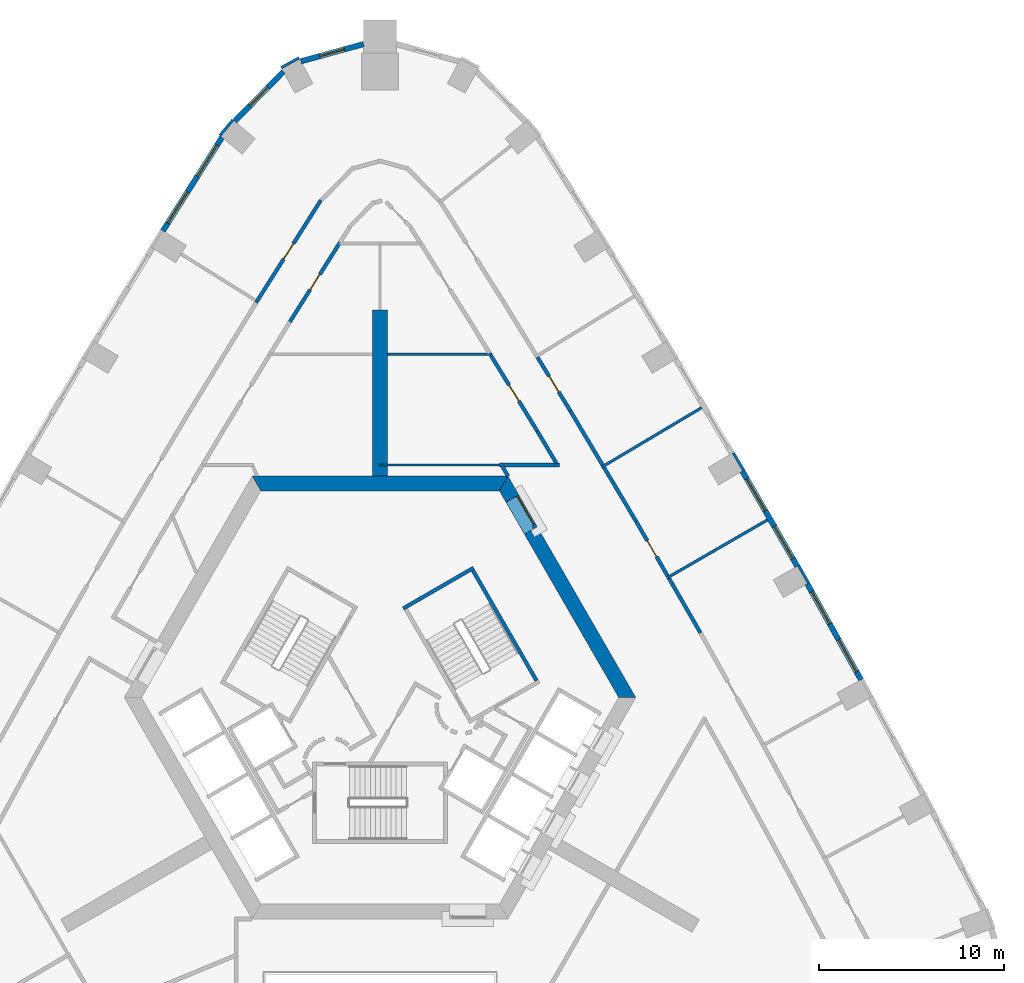
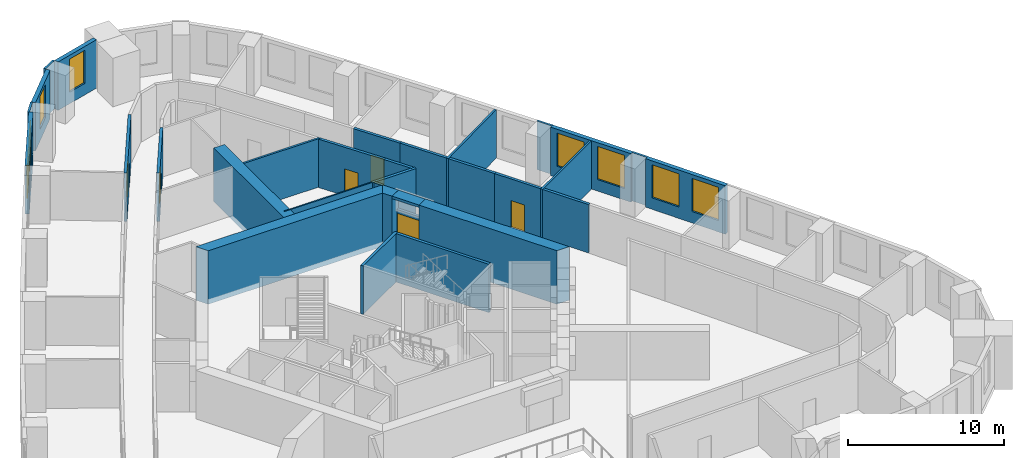
# One storey, part 9 of 12: 32 walls, 8 windows, 6 doors, 14 openings.
"""IFC4 building model written with IfcOpenShell, lengths in metres."""

import ifcopenshell
import ifcopenshell.guid

model = None  # the IFC model being written
_history = None  # IfcOwnerHistory: only IFC2X3 demands one
_inside = {}  # id of a spatial element -> (the spatial element, [elements in it])
_under = {}  # id of a project, library or spatial element -> (it, [spatial elements below it])
_declared = {}  # id of a project -> (the project, [libraries it declares])
_typed = {}  # id of a type object -> (the type object, [elements of that type])
_made_of = {}  # id of a material, layer set ... -> (it, [elements and type objects made of it])


def new_model(schema):
    """Start an empty IFC model of exactly this schema.

    Asked for "IFC4X3", IfcOpenShell would pick the latest addendum, in which some entities
    have other attributes; the version numbers below select the first issue.
    IFC2X3 requires an IfcOwnerHistory on every rooted entity: one is made here for all.
    """
    global model, _history
    if schema == "IFC4X3":
        model = ifcopenshell.file(schema_version=(4, 3, 0, 0))
    else:
        model = ifcopenshell.file(schema=schema)
    _inside.clear()
    _under.clear()
    _declared.clear()
    _typed.clear()
    _made_of.clear()
    _history = None
    if model.schema == "IFC2X3":
        org = make("IfcOrganization", Name="unknown")
        user = make(
            "IfcPersonAndOrganization",
            ThePerson=make("IfcPerson", FamilyName="unknown"),
            TheOrganization=org,
        )
        app = make(
            "IfcApplication",
            ApplicationDeveloper=org,
            Version="unknown",
            ApplicationFullName="unknown",
            ApplicationIdentifier="unknown",
        )
        _history = make(
            "IfcOwnerHistory",
            OwningUser=user,
            OwningApplication=app,
            ChangeAction="ADDED",
            CreationDate=0,
        )
    return model


def make(cls, **values):
    """One entity of the class cls with the attributes given. An attribute that is None is left unset."""
    return model.create_entity(
        cls, **{name: value for name, value in values.items() if value is not None}
    )


def rooted(cls, **values):
    """An entity with a GlobalId (a new one), such as an element, a storey or a relation."""
    return make(cls, GlobalId=ifcopenshell.guid.new(), OwnerHistory=_history, **values)


def si_unit(unit_type, name, prefix=None):
    """IfcSIUnit, for example si_unit("LENGTHUNIT", "METRE", prefix="MILLI")."""
    return make("IfcSIUnit", UnitType=unit_type, Prefix=prefix, Name=name)


def assignment(units):
    """IfcUnitAssignment: the units of a project."""
    return None if units is None else make("IfcUnitAssignment", Units=units)


def point(xyz):
    """IfcCartesianPoint."""
    return None if xyz is None else make("IfcCartesianPoint", Coordinates=xyz)


def direction(xyz):
    """IfcDirection."""
    return None if xyz is None else make("IfcDirection", DirectionRatios=xyz)


def frame(location, z_axis=None, x_axis=None):
    """IfcAxis2Placement3D, a coordinate frame: its origin and axes. An axis left out is left unset."""
    return make(
        "IfcAxis2Placement3D",
        Location=point(location),
        Axis=direction(z_axis),
        RefDirection=direction(x_axis),
    )


def frame_2d(location, x_axis=None):
    """IfcAxis2Placement2D, a coordinate frame in the plane: its origin and x axis."""
    return make(
        "IfcAxis2Placement2D", Location=point(location), RefDirection=direction(x_axis)
    )


def origin():
    """The frame at (0, 0, 0) with its axes left unset."""
    return frame((0.0, 0.0, 0.0))


def place(relative_to, where):
    """IfcLocalPlacement: puts the frame where relative to a parent placement (None: the world)."""
    return make(
        "IfcLocalPlacement", PlacementRelTo=relative_to, RelativePlacement=where
    )


def context(
    kind, dimensions, precision=None, world=None, true_north=None, identifier=None
):
    """IfcGeometricRepresentationContext, for example the 3D "Model" context."""
    return make(
        "IfcGeometricRepresentationContext",
        ContextIdentifier=identifier,
        ContextType=kind,
        CoordinateSpaceDimension=dimensions,
        Precision=precision,
        WorldCoordinateSystem=world,
        TrueNorth=true_north,
    )


def subcontext(parent, identifier, kind, view, scale=None):
    """IfcGeometricRepresentationSubContext, for example "Body" below "Model"."""
    return make(
        "IfcGeometricRepresentationSubContext",
        ContextIdentifier=identifier,
        ContextType=kind,
        ParentContext=parent,
        TargetScale=scale,
        TargetView=view,
    )


def project(units=None, contexts=None):
    """IfcProject with its units and contexts."""
    return rooted(
        "IfcProject",
        Name="project",
        RepresentationContexts=contexts,
        UnitsInContext=assignment(units),
    )


def spatial(cls, under=None, at=None, **own):
    """A site, building, storey or space (cls), placed at a placement, below another one or the project."""
    s = rooted(cls, ObjectPlacement=at, **own)
    if under is not None:
        _under.setdefault(under.id(), (under, []))[1].append(s)
    return s


def polyline(points):
    """IfcPolyline through the points."""
    return make("IfcPolyline", Points=[point(p) for p in points])


def profile(cls, at=None, kind="AREA", **sizes):
    """A parametric profile (cls). Its sizes go by their IFC names, for example OverallWidth=200.0."""
    return make(cls, ProfileType=kind, Position=at, **sizes)


def rectangle(**sizes):
    """IfcRectangleProfileDef."""
    return profile("IfcRectangleProfileDef", **sizes)


def outline(outer, holes=None, kind="AREA"):
    """IfcArbitraryClosedProfileDef: a profile drawn as a closed curve; with holes, ...WithVoids."""
    if holes is None:
        return make("IfcArbitraryClosedProfileDef", ProfileType=kind, OuterCurve=outer)
    return make(
        "IfcArbitraryProfileDefWithVoids",
        ProfileType=kind,
        OuterCurve=outer,
        InnerCurves=holes,
    )


def extrude(swept, where, along, depth):
    """IfcExtrudedAreaSolid: the profile swept, set in the frame where, extruded along a direction by depth."""
    return make(
        "IfcExtrudedAreaSolid",
        SweptArea=swept,
        Position=where,
        ExtrudedDirection=direction(along),
        Depth=depth,
    )


def shape(context_of_items, identifier, shape_type, items):
    """IfcShapeRepresentation: the items that make up one representation, for example the "Body"."""
    return make(
        "IfcShapeRepresentation",
        ContextOfItems=context_of_items,
        RepresentationIdentifier=identifier,
        RepresentationType=shape_type,
        Items=items,
    )


def material(Name=None, Category=None):
    """IfcMaterial."""
    return make("IfcMaterial", Name=Name, Category=Category)


def layer(
    of_material, thickness, ventilated=None, Name=None, Category=None, Priority=None
):
    """IfcMaterialLayer: one layer of a wall or slab, of a material (None: an air gap)."""
    return make(
        "IfcMaterialLayer",
        Material=of_material,
        LayerThickness=thickness,
        IsVentilated=ventilated,
        Name=Name,
        Category=Category,
        Priority=Priority,
    )


def layer_set(layers, Name=None):
    """IfcMaterialLayerSet."""
    return make("IfcMaterialLayerSet", MaterialLayers=layers, LayerSetName=Name)


def made_of(thing, what):
    """Note that an element or type object is made of a material, layer set ...; save() writes the relation."""
    if what is not None:
        _made_of.setdefault(what.id(), (what, []))[1].append(thing)
    return thing


def type_object(cls, material=None, **own):
    """A type object (cls), such as IfcWallType, which elements share."""
    return made_of(rooted(cls, **own), material)


def element(
    cls,
    number,
    at=None,
    inside=None,
    cuts=None,
    type_object=None,
    material=None,
    context=None,
    identifier="Body",
    shape_type=None,
    held_by="IfcProductDefinitionShape",
    body=None,
    shapes=None,
    **own,
):
    """One element of the class cls, such as IfcWall. Its Tag is "e" and its number.

    at: its placement. inside: the storey or other place that contains it. cuts: it is an
    opening in that element (IfcRelVoidsElement). A single representation is given by context,
    identifier, shape_type and body (its items); several are given by shapes. held_by: the class
    of the entity that holds the representations. save() writes the other relations.
    """
    e = rooted(cls, Tag="e%d" % number, ObjectPlacement=at, **own)
    if body is not None:
        shapes = [shape(context, identifier, shape_type, body)]
    if shapes is not None:
        e.Representation = make(held_by, Representations=shapes)
    if inside is not None:
        _inside.setdefault(inside.id(), (inside, []))[1].append(e)
    if cuts is not None:
        rooted(
            "IfcRelVoidsElement", RelatingBuildingElement=cuts, RelatedOpeningElement=e
        )
    if type_object is not None:
        _typed.setdefault(type_object.id(), (type_object, []))[1].append(e)
    return made_of(e, material)


def fill(opening, filler):
    """IfcRelFillsElement: the door or window that sits in an opening."""
    return rooted(
        "IfcRelFillsElement",
        RelatingOpeningElement=opening,
        RelatedBuildingElement=filler,
    )


def aggregate(whole, parts):
    """IfcRelAggregates: a whole, such as a stair, and the parts it consists of."""
    return rooted("IfcRelAggregates", RelatingObject=whole, RelatedObjects=parts)


def save(model, path):
    """Write the relations noted so far, then the file.

    IfcRelAggregates (storeys below a building ...), IfcRelContainedInSpatialStructure (elements
    in a storey), IfcRelDefinesByType, IfcRelAssociatesMaterial and IfcRelDeclares: one each for
    every whole, place, type object, material and project.
    """
    for whole, parts in _under.values():
        aggregate(whole, parts)
    for where, things in _inside.values():
        rooted(
            "IfcRelContainedInSpatialStructure",
            RelatedElements=things,
            RelatingStructure=where,
        )
    for kind, things in _typed.values():
        rooted("IfcRelDefinesByType", RelatedObjects=things, RelatingType=kind)
    for what, things in _made_of.values():
        rooted("IfcRelAssociatesMaterial", RelatedObjects=things, RelatingMaterial=what)
    for by, libraries in _declared.values():
        rooted("IfcRelDeclares", RelatingContext=by, RelatedDefinitions=libraries)
    model.write(path)


model = new_model("IFC4")

# Units and contexts
model_context = context("Model", 3, precision=1e-05, world=origin(), true_north=direction((0.0, 1.0)))
body_context = subcontext(model_context, "Body", "Model", "MODEL_VIEW")
ifc_project = project(units=[si_unit("LENGTHUNIT", "METRE"), si_unit("AREAUNIT", "SQUARE_METRE"), si_unit("VOLUMEUNIT", "CUBIC_METRE"), si_unit("PLANEANGLEUNIT", "RADIAN"), si_unit("MASSUNIT", "GRAM", prefix="KILO")], contexts=[model_context])

# Site, building, storey
site_placement = place(None, origin())
site = spatial("IfcSite", under=ifc_project, at=site_placement, CompositionType="ELEMENT")
building_placement = place(site_placement, origin())
building = spatial("IfcBuilding", under=site, at=building_placement, Name="Entoto Arch Interchange Tower", CompositionType="ELEMENT")
storey_placement = place(building_placement, frame((0.0, 0.0, 155.0)))
storey = spatial("IfcBuildingStorey", under=building, at=storey_placement, Name="L34", CompositionType="ELEMENT", Elevation=155.0)

# Wall
ifc_material_1 = material(Name="Concrete C50/60", Category="concrete")
ifc_layer_1 = layer(ifc_material_1, 0.800048828125)
ifc_layer_set_1 = layer_set([ifc_layer_1], Name="Concrete C50/60")
wall_type_1 = type_object("IfcWallType", Name="Buttress wall 800 C50/60", PredefinedType="SHEAR", material=ifc_layer_set_1)
wall_1_placement = place(storey_placement, frame((0.0, 14.5, -0.39990234375), z_axis=(0.0, 0.0, 1.0), x_axis=(0.0, 1.0, 0.0)))
element("IfcWall", 1, at=wall_1_placement, inside=storey, type_object=wall_type_1, Name="Buttress wall N L34", PredefinedType="SHEAR", context=body_context, shape_type="SweptSolid", body=[
    extrude(rectangle(XDim=9.0, YDim=0.800048828125, at=frame_2d((4.5, 0.0))), origin(), (0.0, 0.0, 1.0), 4.199951171875),
])

# Wall, opening, door
ifc_material_2 = material(Name="Reinforced concrete C40/50", Category="concrete")
ifc_layer_2 = layer(ifc_material_2, 0.199951171875)
ifc_layer_set_2 = layer_set([ifc_layer_2], Name="Reinforced concrete C40/50")
wall_type_2 = type_object("IfcWallType", Name="CORE GAP INFILL WALL", PredefinedType="PARTITIONING", material=ifc_layer_set_2)
wall_2_placement = place(storey_placement, frame((8.429931640625, 11.697998046875, 0.0), z_axis=(0.0, 0.0, 1.0), x_axis=(-0.50002537861, 0.866010750942, 0.0)))
wall_2 = element("IfcWall", 2, at=wall_2_placement, inside=storey, type_object=wall_type_2, Name="wall:L34:gap2", PredefinedType="PARTITIONING", context=body_context, shape_type="SweptSolid", body=[
    extrude(rectangle(XDim=2.0, YDim=0.199951171875, at=frame_2d((1.0, 0.0))), origin(), (0.0, 0.0, 1.0), 2.39990234375),
])
opening_1_placement = place(wall_2_placement, frame((0.18994140625, 0.0, 0.0)))
opening_1 = element("IfcOpeningElement", 3, at=opening_1_placement, cuts=wall_2, Name="Opening L34-D92", PredefinedType="OPENING", context=body_context, shape_type="SweptSolid", body=[
    extrude(rectangle(XDim=1.800048828125, YDim=2.10009765625, at=frame_2d((0.89990234375, 1.050048828125))), frame((0.0, 0.10986328125, 0.0), z_axis=(0.0, -1.0, 0.0), x_axis=(1.0, 0.0, 0.0)), (0.0, 0.0, 1.0), 0.219970703125),
])
ifc_material_3 = material(Name="Fire-rated Steel S235 door and frame", Category="steel")
door_type_1 = type_object("IfcDoorType", Name="DOOR FD-18 1800x2100", OperationType="DOUBLE_DOOR_SINGLE_SWING", PredefinedType="DOOR", material=ifc_material_3)
door_1_placement = place(opening_1_placement, origin())
door_1 = element("IfcDoor", 4, at=door_1_placement, inside=storey, type_object=door_type_1, Name="door:L34:gap2", OperationType="DOUBLE_DOOR_SINGLE_SWING", OverallHeight=2.10009765625, OverallWidth=1.800048828125, PredefinedType="DOOR", context=body_context, shape_type="SweptSolid", body=[
    extrude(rectangle(XDim=1.800048828125, YDim=2.10009765625, at=frame_2d((0.89990234375, 1.050048828125))), frame((0.0, 0.02490234375, 0.0), z_axis=(0.0, -1.0, 0.0), x_axis=(1.0, 0.0, 0.0)), (0.0, 0.0, 1.0), 0.050048828125),
])
fill(opening_1, door_1)

# Walls
ifc_layer_3 = layer(ifc_material_1, 0.800048828125)
ifc_layer_set_3 = layer_set([ifc_layer_3], Name="Concrete C50/60")
wall_type_3 = type_object("IfcWallType", Name="Core wall 800 C50/60", PredefinedType="SHEAR", material=ifc_layer_set_3)
wall_3_placement = place(storey_placement, frame((0.0, 0.0, -0.39990234375)))
element("IfcWall", 5, at=wall_3_placement, inside=storey, type_object=wall_type_3, Name="Core wall NE L34", PredefinedType="SHEAR", context=body_context, shape_type="SweptSolid", body=[
    extrude(outline(polyline([(8.51708984375, 11.748046875), (7.823974609375, 11.347900390625), (12.93310546875, 2.5), (13.85595703125, 2.5), (8.51708984375, 11.748046875)])), origin(), (0.0, 0.0, 1.0), 4.199951171875),
])
wall_4_placement = place(storey_placement, frame((0.0, 0.0, -0.39990234375)))
element("IfcWall", 6, at=wall_4_placement, inside=storey, type_object=wall_type_3, Name="Core wall NE L34", PredefinedType="SHEAR", context=body_context, shape_type="SweptSolid", body=[
    extrude(outline(polyline([(6.823974609375, 13.080078125), (7.51708984375, 13.47998046875), (6.927978515625, 14.5), (6.466064453125, 13.699951171875), (6.823974609375, 13.080078125)])), origin(), (0.0, 0.0, 1.0), 4.199951171875),
])
wall_5_placement = place(storey_placement, frame((0.0, 0.0, 3.60009765625)))
element("IfcWall", 7, at=wall_5_placement, inside=storey, type_object=wall_type_3, Name="Core wall lintel NE L34", PredefinedType="SHEAR", context=body_context, shape_type="SweptSolid", body=[
    extrude(outline(polyline([(7.51708984375, 13.47998046875), (6.823974609375, 13.080078125), (7.823974609375, 11.347900390625), (8.51708984375, 11.748046875), (7.51708984375, 13.47998046875)])), origin(), (0.0, 0.0, 1.0), 0.199951171875),
])
wall_6_placement = place(storey_placement, frame((0.0, 0.0, -0.39990234375)))
element("IfcWall", 8, at=wall_6_placement, inside=storey, type_object=wall_type_3, Name="Core wall N L34", PredefinedType="SHEAR", context=body_context, shape_type="SweptSolid", body=[
    extrude(outline(polyline([(6.927978515625, 14.5), (-6.927978515625, 14.5), (-6.466064453125, 13.699951171875), (6.466064453125, 13.699951171875), (6.927978515625, 14.5)])), origin(), (0.0, 0.0, 1.0), 4.199951171875),
])
ifc_material_4 = material(Name="Gypsum board partition on steel studs", Category="steel")
ifc_layer_4 = layer(ifc_material_4, 0.10009765625)
ifc_layer_set_4 = layer_set([ifc_layer_4], Name="Gypsum board partition on steel studs")
wall_type_4 = type_object("IfcWallType", Name="PARTITION 100", PredefinedType="PARTITIONING", material=ifc_layer_set_4)
wall_7_placement = place(storey_placement, frame((6.48388671875, 15.10009765625, 0.0), z_axis=(0.0, 0.0, 1.0), x_axis=(-1.0, 0.0, 0.0)))
element("IfcWall", 9, at=wall_7_placement, inside=storey, type_object=wall_type_4, Name="wall:L34:p112", PredefinedType="PARTITIONING", context=body_context, shape_type="SweptSolid", body=[
    extrude(rectangle(XDim=6.533935546875, YDim=0.10009765625, at=frame_2d((3.26708984375, 0.0))), origin(), (0.0, 0.0, 1.0), 3.800048828125),
])
ifc_layer_5 = layer(ifc_material_4, 0.14990234375)
ifc_layer_set_5 = layer_set([ifc_layer_5], Name="Gypsum board partition on steel studs")
wall_type_5 = type_object("IfcWallType", Name="PARTITION 150", PredefinedType="PARTITIONING", material=ifc_layer_set_5)
wall_8_placement = place(storey_placement, frame((0.39990234375, 21.10009765625, 0.0), z_axis=(0.0, 0.0, 1.0), x_axis=(1.0, 0.0, 0.0)))
element("IfcWall", 10, at=wall_8_placement, inside=storey, type_object=wall_type_5, Name="wall:L34:p113", PredefinedType="PARTITIONING", context=body_context, shape_type="SweptSolid", body=[
    extrude(rectangle(XDim=5.666015625, YDim=0.14990234375, at=frame_2d((2.8330078125, 0.0))), origin(), (0.0, 0.0, 1.0), 3.800048828125),
])
wall_9_placement = place(storey_placement, frame((15.534912109375, 8.968994140625, 0.0), z_axis=(0.0, 0.0, 1.0), x_axis=(0.865951968193, 0.500127172609, 0.0)))
element("IfcWall", 11, at=wall_9_placement, inside=storey, type_object=wall_type_5, Name="wall:L34:p128", PredefinedType="PARTITIONING", context=body_context, shape_type="SweptSolid", body=[
    extrude(rectangle(XDim=6.300537109375, YDim=0.14990234375, at=frame_2d((3.150390625, 0.0))), origin(), (0.0, 0.0, 1.0), 3.800048828125),
])
wall_10_placement = place(storey_placement, frame((12.010009765625, 14.98095703125, 0.0), z_axis=(0.0, 0.0, 1.0), x_axis=(0.859343975102, 0.51139801765, 0.0)))
element("IfcWall", 12, at=wall_10_placement, inside=storey, type_object=wall_type_5, Name="wall:L34:p129", PredefinedType="PARTITIONING", context=body_context, shape_type="SweptSolid", body=[
    extrude(rectangle(XDim=6.30029296875, YDim=0.14990234375, at=frame_2d((3.150146484375, 0.0))), origin(), (0.0, 0.0, 1.0), 3.800048828125),
])
ifc_layer_6 = layer(ifc_material_4, 0.199951171875)
ifc_layer_set_6 = layer_set([ifc_layer_6], Name="Gypsum board partition on steel studs")
wall_type_6 = type_object("IfcWallType", Name="PARTITION 200", PredefinedType="PARTITIONING", material=ifc_layer_set_6)
wall_11_placement = place(storey_placement, frame((6.48388671875, 15.10009765625, 0.0), z_axis=(0.0, 0.0, 1.0), x_axis=(1.0, 0.0, 0.0)))
element("IfcWall", 13, at=wall_11_placement, inside=storey, type_object=wall_type_6, Name="wall:L34:p005", PredefinedType="PARTITIONING", context=body_context, shape_type="SweptSolid", body=[
    extrude(rectangle(XDim=3.22802734375, YDim=0.199951171875, at=frame_2d((1.614013671875, 0.0))), origin(), (0.0, 0.0, 1.0), 3.800048828125),
])
wall_12_placement = place(storey_placement, frame((9.56103515625, 15.18603515625, 0.0), z_axis=(0.0, 0.0, 1.0), x_axis=(-0.511399832047, 0.859342895346, 0.0)))
element("IfcWall", 14, at=wall_12_placement, inside=storey, type_object=wall_type_6, Name="wall:L34:p006", PredefinedType="PARTITIONING", context=body_context, shape_type="SweptSolid", body=[
    extrude(rectangle(XDim=2.043212890625, YDim=0.199951171875, at=frame_2d((1.021484375, 0.0))), origin(), (0.0, 0.0, 1.0), 3.800048828125),
])

# Wall, opening, door
wall_13_placement = place(storey_placement, frame((8.51611328125, 16.94189453125, 0.0), z_axis=(0.0, 0.0, 1.0), x_axis=(-0.522865983217, 0.852414901086, 0.0)))
wall_13 = element("IfcWall", 15, at=wall_13_placement, inside=storey, type_object=wall_type_6, Name="wall:L34:p007", PredefinedType="PARTITIONING", context=body_context, shape_type="SweptSolid", body=[
    extrude(rectangle(XDim=4.802734375, YDim=0.199951171875, at=frame_2d((2.4013671875, 0.0))), origin(), (0.0, 0.0, 1.0), 3.800048828125),
])
opening_2_placement = place(wall_13_placement, frame((1.90087890625, 0.0, 0.0)))
opening_2 = element("IfcOpeningElement", 16, at=opening_2_placement, cuts=wall_13, Name="Opening L34-D19", PredefinedType="OPENING", context=body_context, shape_type="SweptSolid", body=[
    extrude(rectangle(XDim=1.0, YDim=2.10009765625, at=frame_2d((0.5, 1.050048828125))), frame((0.0, 0.10986328125, 0.0), z_axis=(0.0, -1.0, 0.0), x_axis=(1.0, 0.0, 0.0)), (0.0, 0.0, 1.0), 0.219970703125),
])
ifc_material_5 = material(Name="Timber door leaf in Steel S235 frame", Category="steel")
door_type_2 = type_object("IfcDoorType", Name="DOOR DS-10 1000x2100", OperationType="SINGLE_SWING_LEFT", PredefinedType="DOOR", material=ifc_material_5)
door_2_placement = place(opening_2_placement, origin())
door_2 = element("IfcDoor", 17, at=door_2_placement, inside=storey, type_object=door_type_2, Name="door:L34:19", OperationType="SINGLE_SWING_LEFT", OverallHeight=2.10009765625, OverallWidth=1.0, PredefinedType="DOOR", context=body_context, shape_type="SweptSolid", body=[
    extrude(rectangle(XDim=1.0, YDim=2.10009765625, at=frame_2d((0.5, 1.050048828125))), frame((0.0, 0.02490234375, 0.0), z_axis=(0.0, -1.0, 0.0), x_axis=(1.0, 0.0, 0.0)), (0.0, 0.0, 1.0), 0.050048828125),
])
fill(opening_2, door_2)

# Wall
wall_14_placement = place(storey_placement, frame((6.93701171875, 14.488037109375, 0.0), z_axis=(0.0, 0.0, 1.0), x_axis=(-0.499908430952, 0.866078264744, 0.0)))
element("IfcWall", 18, at=wall_14_placement, inside=storey, type_object=wall_type_6, Name="wall:L34:p008", PredefinedType="PARTITIONING", context=body_context, shape_type="SweptSolid", body=[
    extrude(rectangle(XDim=0.60595703125, YDim=0.199951171875, at=frame_2d((0.302978515625, 0.0))), origin(), (0.0, 0.0, 1.0), 3.800048828125),
])

# Wall, opening, door
wall_15_placement = place(storey_placement, frame((-2.1669921875, 27.1630859375, 0.0), z_axis=(0.0, 0.0, 1.0), x_axis=(-0.534315942524, -0.845284847589, 0.0)))
wall_15 = element("IfcWall", 19, at=wall_15_placement, inside=storey, type_object=wall_type_6, Name="wall:L34:p013", PredefinedType="PARTITIONING", context=body_context, shape_type="SweptSolid", body=[
    extrude(rectangle(XDim=5.090576171875, YDim=0.199951171875, at=frame_2d((2.54541015625, 0.0))), origin(), (0.0, 0.0, 1.0), 3.800048828125),
])
opening_3_placement = place(wall_15_placement, frame((2.044921875, 0.0, 0.0)))
opening_3 = element("IfcOpeningElement", 20, at=opening_3_placement, cuts=wall_15, Name="Opening L34-D22", PredefinedType="OPENING", context=body_context, shape_type="SweptSolid", body=[
    extrude(rectangle(XDim=1.0, YDim=2.10009765625, at=frame_2d((0.5, 1.050048828125))), frame((0.0, 0.10986328125, 0.0), z_axis=(0.0, -1.0, 0.0), x_axis=(1.0, 0.0, 0.0)), (0.0, 0.0, 1.0), 0.219970703125),
])
door_3_placement = place(opening_3_placement, origin())
door_3 = element("IfcDoor", 21, at=door_3_placement, inside=storey, type_object=door_type_2, Name="door:L34:22", OperationType="SINGLE_SWING_LEFT", OverallHeight=2.10009765625, OverallWidth=1.0, PredefinedType="DOOR", context=body_context, shape_type="SweptSolid", body=[
    extrude(rectangle(XDim=1.0, YDim=2.10009765625, at=frame_2d((0.5, 1.050048828125))), frame((0.0, 0.02490234375, 0.0), z_axis=(0.0, -1.0, 0.0), x_axis=(1.0, 0.0, 0.0)), (0.0, 0.0, 1.0), 0.050048828125),
])
fill(opening_3, door_3)

# Walls
wall_16_placement = place(storey_placement, frame((15.658935546875, 8.9541015625, 0.0), z_axis=(0.0, 0.0, 1.0), x_axis=(0.50001992892, -0.866013897511, 0.0)))
element("IfcWall", 22, at=wall_16_placement, inside=storey, type_object=wall_type_6, Name="wall:L34:p048", PredefinedType="PARTITIONING", context=body_context, shape_type="SweptSolid", body=[
    extrude(rectangle(XDim=3.409912109375, YDim=0.199951171875, at=frame_2d((1.705078125, 0.0))), origin(), (0.0, 0.0, 1.0), 3.800048828125),
])
wall_17_placement = place(storey_placement, frame((12.134033203125, 14.968017578125, 0.0), z_axis=(0.0, 0.0, 1.0), x_axis=(0.511545516492, -0.859256180983, 0.0)))
element("IfcWall", 23, at=wall_17_placement, inside=storey, type_object=wall_type_6, Name="wall:L34:p050", PredefinedType="PARTITIONING", context=body_context, shape_type="SweptSolid", body=[
    extrude(rectangle(XDim=3.410888671875, YDim=0.199951171875, at=frame_2d((1.70556640625, 0.0))), origin(), (0.0, 0.0, 1.0), 3.800048828125),
])

# Wall, opening, door
wall_18_placement = place(storey_placement, frame((13.87890625, 12.037109375, 0.0), z_axis=(0.0, 0.0, 1.0), x_axis=(0.50001992892, -0.866013897511, 0.0)))
wall_18 = element("IfcWall", 24, at=wall_18_placement, inside=storey, type_object=wall_type_6, Name="wall:L34:p051", PredefinedType="PARTITIONING", context=body_context, shape_type="SweptSolid", body=[
    extrude(rectangle(XDim=3.409912109375, YDim=0.199951171875, at=frame_2d((1.705078125, 0.0))), origin(), (0.0, 0.0, 1.0), 3.800048828125),
])
opening_4_placement = place(wall_18_placement, frame((1.205078125, 0.0, 0.0)))
opening_4 = element("IfcOpeningElement", 25, at=opening_4_placement, cuts=wall_18, Name="Opening L34-D07", PredefinedType="OPENING", context=body_context, shape_type="SweptSolid", body=[
    extrude(rectangle(XDim=1.0, YDim=2.10009765625, at=frame_2d((0.5, 1.050048828125))), frame((0.0, 0.10986328125, 0.0), z_axis=(0.0, -1.0, 0.0), x_axis=(1.0, 0.0, 0.0)), (0.0, 0.0, 1.0), 0.219970703125),
])
door_4_placement = place(opening_4_placement, origin())
door_4 = element("IfcDoor", 26, at=door_4_placement, inside=storey, type_object=door_type_2, Name="door:L34:07", OperationType="SINGLE_SWING_LEFT", OverallHeight=2.10009765625, OverallWidth=1.0, PredefinedType="DOOR", context=body_context, shape_type="SweptSolid", body=[
    extrude(rectangle(XDim=1.0, YDim=2.10009765625, at=frame_2d((0.5, 1.050048828125))), frame((0.0, 0.02490234375, 0.0), z_axis=(0.0, -1.0, 0.0), x_axis=(1.0, 0.0, 0.0)), (0.0, 0.0, 1.0), 0.050048828125),
])
fill(opening_4, door_4)

wall_19_placement = place(storey_placement, frame((8.530029296875, 20.93505859375, 0.0), z_axis=(0.0, 0.0, 1.0), x_axis=(0.522830634433, -0.852436582801, 0.0)))
wall_19 = element("IfcWall", 27, at=wall_19_placement, inside=storey, type_object=wall_type_6, Name="wall:L34:p052", PredefinedType="PARTITIONING", context=body_context, shape_type="SweptSolid", body=[
    extrude(rectangle(XDim=3.41015625, YDim=0.199951171875, at=frame_2d((1.705078125, 0.0))), origin(), (0.0, 0.0, 1.0), 3.800048828125),
])
opening_5_placement = place(wall_19_placement, frame((1.205078125, 0.0, 0.0)))
opening_5 = element("IfcOpeningElement", 28, at=opening_5_placement, cuts=wall_19, Name="Opening L34-D08", PredefinedType="OPENING", context=body_context, shape_type="SweptSolid", body=[
    extrude(rectangle(XDim=1.0, YDim=2.10009765625, at=frame_2d((0.5, 1.050048828125))), frame((0.0, 0.10986328125, 0.0), z_axis=(0.0, -1.0, 0.0), x_axis=(1.0, 0.0, 0.0)), (0.0, 0.0, 1.0), 0.219970703125),
])
door_5_placement = place(opening_5_placement, origin())
door_5 = element("IfcDoor", 29, at=door_5_placement, inside=storey, type_object=door_type_2, Name="door:L34:08", OperationType="SINGLE_SWING_LEFT", OverallHeight=2.10009765625, OverallWidth=1.0, PredefinedType="DOOR", context=body_context, shape_type="SweptSolid", body=[
    extrude(rectangle(XDim=1.0, YDim=2.10009765625, at=frame_2d((0.5, 1.050048828125))), frame((0.0, 0.02490234375, 0.0), z_axis=(0.0, -1.0, 0.0), x_axis=(1.0, 0.0, 0.0)), (0.0, 0.0, 1.0), 0.050048828125),
])
fill(opening_5, door_5)

# Wall
wall_20_placement = place(storey_placement, frame((10.31298828125, 18.028076171875, 0.0), z_axis=(0.0, 0.0, 1.0), x_axis=(0.511566898838, -0.859243450958, 0.0)))
element("IfcWall", 30, at=wall_20_placement, inside=storey, type_object=wall_type_6, Name="wall:L34:p053", PredefinedType="PARTITIONING", context=body_context, shape_type="SweptSolid", body=[
    extrude(rectangle(XDim=3.411376953125, YDim=0.199951171875, at=frame_2d((1.70556640625, 0.0))), origin(), (0.0, 0.0, 1.0), 3.800048828125),
])

# Wall, opening, door
wall_21_placement = place(storey_placement, frame((-6.7099609375, 23.906005859375, 0.0), z_axis=(0.0, 0.0, 1.0), x_axis=(0.534211624298, 0.845350779538, 0.0)))
wall_21 = element("IfcWall", 31, at=wall_21_placement, inside=storey, type_object=wall_type_6, Name="wall:L34:p056", PredefinedType="PARTITIONING", context=body_context, shape_type="SweptSolid", body=[
    extrude(rectangle(XDim=6.553466796875, YDim=0.199951171875, at=frame_2d((3.27685546875, 0.0))), origin(), (0.0, 0.0, 1.0), 3.800048828125),
])
opening_6_placement = place(wall_21_placement, frame((2.777099609375, 0.0, 0.0)))
opening_6 = element("IfcOpeningElement", 32, at=opening_6_placement, cuts=wall_21, Name="Opening L34-D10", PredefinedType="OPENING", context=body_context, shape_type="SweptSolid", body=[
    extrude(rectangle(XDim=1.0, YDim=2.10009765625, at=frame_2d((0.5, 1.050048828125))), frame((0.0, 0.10986328125, 0.0), z_axis=(0.0, -1.0, 0.0), x_axis=(1.0, 0.0, 0.0)), (0.0, 0.0, 1.0), 0.219970703125),
])
door_6_placement = place(opening_6_placement, origin())
door_6 = element("IfcDoor", 33, at=door_6_placement, inside=storey, type_object=door_type_2, Name="door:L34:10", OperationType="SINGLE_SWING_LEFT", OverallHeight=2.10009765625, OverallWidth=1.0, PredefinedType="DOOR", context=body_context, shape_type="SweptSolid", body=[
    extrude(rectangle(XDim=1.0, YDim=2.10009765625, at=frame_2d((0.5, 1.050048828125))), frame((0.0, 0.02490234375, 0.0), z_axis=(0.0, -1.0, 0.0), x_axis=(1.0, 0.0, 0.0)), (0.0, 0.0, 1.0), 0.050048828125),
])
fill(opening_6, door_6)

# Walls
ifc_material_6 = material(Name="Concrete C40/50", Category="concrete")
ifc_layer_7 = layer(ifc_material_6, 0.199951171875)
ifc_layer_set_7 = layer_set([ifc_layer_7], Name="Concrete C40/50")
wall_type_7 = type_object("IfcWallType", Name="STAIR ENCLOSURE WALL 200", PredefinedType="STANDARD", material=ifc_layer_set_7)
wall_22_placement = place(storey_placement, frame((1.256103515625, 7.323974609375, 0.0), z_axis=(0.0, 0.0, 1.0), x_axis=(0.866046073146, 0.499964197906, 0.0)))
element("IfcWall", 34, at=wall_22_placement, inside=storey, type_object=wall_type_7, Name="Stair wall ST-NE far", PredefinedType="STANDARD", context=body_context, shape_type="SweptSolid", body=[
    extrude(rectangle(XDim=4.400146484375, YDim=0.199951171875, at=frame_2d((2.2001953125, 0.0))), origin(), (0.0, 0.0, 1.0), 3.800048828125),
])
wall_23_placement = place(storey_placement, frame((8.47998046875, 3.412109375, 0.0), z_axis=(0.0, 0.0, 1.0), x_axis=(-0.499978703459, 0.866037698999, 0.0)))
element("IfcWall", 35, at=wall_23_placement, inside=storey, type_object=wall_type_7, Name="Stair wall ST-NE back", PredefinedType="STANDARD", context=body_context, shape_type="SweptSolid", body=[
    extrude(rectangle(XDim=6.900146484375, YDim=0.199951171875, at=frame_2d((3.4501953125, 0.0))), origin(), (0.0, 0.0, 1.0), 3.800048828125),
])

# Wall, openings, windows
ifc_material_7 = material(Name="Welded tuff (ignimbrite) cladding, warm buff", Category="masonry")
ifc_layer_8 = layer(ifc_material_7, 0.300048828125)
ifc_layer_set_8 = layer_set([ifc_layer_8], Name="Welded tuff (ignimbrite) cladding, warm buff")
wall_type_8 = type_object("IfcWallType", Name="STONE INFILL WALL 300", PredefinedType="STANDARD", material=ifc_layer_set_8)
wall_24_placement = place(storey_placement, frame((26.06201171875, 3.462890625, 0.0), z_axis=(0.0, 0.0, 1.0), x_axis=(-0.488354983501, 0.872645065356, 0.0)))
wall_24 = element("IfcWall", 36, at=wall_24_placement, inside=storey, type_object=wall_type_8, Name="Facade wall NE-03 L34", PredefinedType="STANDARD", context=body_context, shape_type="SweptSolid", body=[
    extrude(rectangle(XDim=5.95654296875, YDim=0.300048828125, at=frame_2d((2.978271484375, 0.0))), origin(), (0.0, 0.0, 1.0), 3.800048828125),
])
opening_7_placement = place(wall_24_placement, frame((0.489013671875, 0.0, 0.89990234375)))
opening_7 = element("IfcOpeningElement", 37, at=opening_7_placement, cuts=wall_24, Name="Opening WO-C", PredefinedType="OPENING", context=body_context, shape_type="SweptSolid", body=[
    extrude(rectangle(XDim=2.0, YDim=2.60009765625, at=frame_2d((1.0, 1.300048828125))), frame((0.0, 0.16015625, 0.0), z_axis=(0.0, -1.0, 0.0), x_axis=(1.0, 0.0, 0.0)), (0.0, 0.0, 1.0), 0.320068359375),
])
opening_8_placement = place(wall_24_placement, frame((3.467041015625, 0.0, 0.89990234375)))
opening_8 = element("IfcOpeningElement", 38, at=opening_8_placement, cuts=wall_24, Name="Opening WO-C", PredefinedType="OPENING", context=body_context, shape_type="SweptSolid", body=[
    extrude(rectangle(XDim=2.0, YDim=2.60009765625, at=frame_2d((1.0, 1.300048828125))), frame((0.0, 0.16015625, 0.0), z_axis=(0.0, -1.0, 0.0), x_axis=(1.0, 0.0, 0.0)), (0.0, 0.0, 1.0), 0.320068359375),
])
ifc_material_8 = material(Name="Clear glass, low-e double glazed", Category="glass")
window_type_1 = type_object("IfcWindowType", Name="WINDOW WO-C 2000x2600", PartitioningType="DOUBLE_PANEL_VERTICAL", PredefinedType="WINDOW", material=ifc_material_8)
window_1_placement = place(opening_7_placement, origin())
window_1 = element("IfcWindow", 39, at=window_1_placement, inside=storey, type_object=window_type_1, Name="Window WO-C NE-03 L34", OverallHeight=2.60009765625, OverallWidth=2.0, PartitioningType="SINGLE_PANEL", PredefinedType="WINDOW", context=body_context, shape_type="SweptSolid", body=[
    extrude(rectangle(XDim=2.0, YDim=2.60009765625, at=frame_2d((1.0, 1.300048828125))), frame((0.0, 0.030029296875, 0.0), z_axis=(0.0, -1.0, 0.0), x_axis=(1.0, 0.0, 0.0)), (0.0, 0.0, 1.0), 0.06005859375),
])
fill(opening_7, window_1)
window_2_placement = place(opening_8_placement, origin())
window_2 = element("IfcWindow", 40, at=window_2_placement, inside=storey, type_object=window_type_1, Name="Window WO-C NE-03 L34", OverallHeight=2.60009765625, OverallWidth=2.0, PartitioningType="SINGLE_PANEL", PredefinedType="WINDOW", context=body_context, shape_type="SweptSolid", body=[
    extrude(rectangle(XDim=2.0, YDim=2.60009765625, at=frame_2d((1.0, 1.300048828125))), frame((0.0, 0.030029296875, 0.0), z_axis=(0.0, -1.0, 0.0), x_axis=(1.0, 0.0, 0.0)), (0.0, 0.0, 1.0), 0.06005859375),
])
fill(opening_8, window_2)

wall_25_placement = place(storey_placement, frame((22.610107421875, 9.614990234375, 0.0), z_axis=(0.0, 0.0, 1.0), x_axis=(-0.500061823953, 0.865989706766, 0.0)))
wall_25 = element("IfcWall", 41, at=wall_25_placement, inside=storey, type_object=wall_type_8, Name="Facade wall NE-04 L34", PredefinedType="STANDARD", context=body_context, shape_type="SweptSolid", body=[
    extrude(rectangle(XDim=5.957275390625, YDim=0.300048828125, at=frame_2d((2.978515625, 0.0))), origin(), (0.0, 0.0, 1.0), 3.800048828125),
])
opening_9_placement = place(wall_25_placement, frame((0.489013671875, 0.0, 0.89990234375)))
opening_9 = element("IfcOpeningElement", 42, at=opening_9_placement, cuts=wall_25, Name="Opening WO-C", PredefinedType="OPENING", context=body_context, shape_type="SweptSolid", body=[
    extrude(rectangle(XDim=2.0, YDim=2.60009765625, at=frame_2d((1.0, 1.300048828125))), frame((0.0, 0.16015625, 0.0), z_axis=(0.0, -1.0, 0.0), x_axis=(1.0, 0.0, 0.0)), (0.0, 0.0, 1.0), 0.320068359375),
])
opening_10_placement = place(wall_25_placement, frame((3.468017578125, 0.0, 0.89990234375)))
opening_10 = element("IfcOpeningElement", 43, at=opening_10_placement, cuts=wall_25, Name="Opening WO-C", PredefinedType="OPENING", context=body_context, shape_type="SweptSolid", body=[
    extrude(rectangle(XDim=2.0, YDim=2.60009765625, at=frame_2d((1.0, 1.300048828125))), frame((0.0, 0.16015625, 0.0), z_axis=(0.0, -1.0, 0.0), x_axis=(1.0, 0.0, 0.0)), (0.0, 0.0, 1.0), 0.320068359375),
])
window_3_placement = place(opening_9_placement, origin())
window_3 = element("IfcWindow", 44, at=window_3_placement, inside=storey, type_object=window_type_1, Name="Window WO-C NE-04 L34", OverallHeight=2.60009765625, OverallWidth=2.0, PartitioningType="SINGLE_PANEL", PredefinedType="WINDOW", context=body_context, shape_type="SweptSolid", body=[
    extrude(rectangle(XDim=2.0, YDim=2.60009765625, at=frame_2d((1.0, 1.300048828125))), frame((0.0, 0.030029296875, 0.0), z_axis=(0.0, -1.0, 0.0), x_axis=(1.0, 0.0, 0.0)), (0.0, 0.0, 1.0), 0.06005859375),
])
fill(opening_9, window_3)
window_4_placement = place(opening_10_placement, origin())
window_4 = element("IfcWindow", 45, at=window_4_placement, inside=storey, type_object=window_type_1, Name="Window WO-C NE-04 L34", OverallHeight=2.60009765625, OverallWidth=2.0, PartitioningType="SINGLE_PANEL", PredefinedType="WINDOW", context=body_context, shape_type="SweptSolid", body=[
    extrude(rectangle(XDim=2.0, YDim=2.60009765625, at=frame_2d((1.0, 1.300048828125))), frame((0.0, 0.030029296875, 0.0), z_axis=(0.0, -1.0, 0.0), x_axis=(1.0, 0.0, 0.0)), (0.0, 0.0, 1.0), 0.06005859375),
])
fill(opening_10, window_4)

# Wall, opening, window
wall_26_placement = place(storey_placement, frame((-0.89892578125, 37.908935546875, 0.0), z_axis=(0.0, 0.0, 1.0), x_axis=(-0.964069751151, -0.265649232853, 0.0)))
wall_26 = element("IfcWall", 46, at=wall_26_placement, inside=storey, type_object=wall_type_8, Name="Facade wall N-03 L34", PredefinedType="STANDARD", context=body_context, shape_type="SweptSolid", body=[
    extrude(rectangle(XDim=3.523681640625, YDim=0.300048828125, at=frame_2d((1.76171875, 0.0))), origin(), (0.0, 0.0, 1.0), 3.800048828125),
])
opening_11_placement = place(wall_26_placement, frame((1.06201171875, 0.0, 0.89990234375)))
opening_11 = element("IfcOpeningElement", 47, at=opening_11_placement, cuts=wall_26, Name="Opening WO-B", PredefinedType="OPENING", context=body_context, shape_type="SweptSolid", body=[
    extrude(rectangle(XDim=1.39990234375, YDim=2.60009765625, at=frame_2d((0.699951171875, 1.300048828125))), frame((0.0, 0.16015625, 0.0), z_axis=(0.0, -1.0, 0.0), x_axis=(1.0, 0.0, 0.0)), (0.0, 0.0, 1.0), 0.320068359375),
])
window_type_2 = type_object("IfcWindowType", Name="WINDOW WO-B 1400x2600", PartitioningType="DOUBLE_PANEL_VERTICAL", PredefinedType="WINDOW", material=ifc_material_8)
window_5_placement = place(opening_11_placement, origin())
window_5 = element("IfcWindow", 48, at=window_5_placement, inside=storey, type_object=window_type_2, Name="Window WO-B N-03 L34", OverallHeight=2.60009765625, OverallWidth=1.39990234375, PartitioningType="SINGLE_PANEL", PredefinedType="WINDOW", context=body_context, shape_type="SweptSolid", body=[
    extrude(rectangle(XDim=1.39990234375, YDim=2.60009765625, at=frame_2d((0.699951171875, 1.300048828125))), frame((0.0, 0.030029296875, 0.0), z_axis=(0.0, -1.0, 0.0), x_axis=(1.0, 0.0, 0.0)), (0.0, 0.0, 1.0), 0.06005859375),
])
fill(opening_11, window_5)

wall_27_placement = place(storey_placement, frame((-5.240966796875, 36.412109375, 0.0), z_axis=(0.0, 0.0, 1.0), x_axis=(-0.7003170466, -0.713831936973, 0.0)))
wall_27 = element("IfcWall", 49, at=wall_27_placement, inside=storey, type_object=wall_type_8, Name="Facade wall N-04 L34", PredefinedType="STANDARD", context=body_context, shape_type="SweptSolid", body=[
    extrude(rectangle(XDim=3.775390625, YDim=0.300048828125, at=frame_2d((1.8876953125, 0.0))), origin(), (0.0, 0.0, 1.0), 3.800048828125),
])
opening_12_placement = place(wall_27_placement, frame((1.18798828125, 0.0, 0.89990234375)))
opening_12 = element("IfcOpeningElement", 50, at=opening_12_placement, cuts=wall_27, Name="Opening WO-B", PredefinedType="OPENING", context=body_context, shape_type="SweptSolid", body=[
    extrude(rectangle(XDim=1.39990234375, YDim=2.60009765625, at=frame_2d((0.699951171875, 1.300048828125))), frame((0.0, 0.16015625, 0.0), z_axis=(0.0, -1.0, 0.0), x_axis=(1.0, 0.0, 0.0)), (0.0, 0.0, 1.0), 0.320068359375),
])
window_6_placement = place(opening_12_placement, origin())
window_6 = element("IfcWindow", 51, at=window_6_placement, inside=storey, type_object=window_type_2, Name="Window WO-B N-04 L34", OverallHeight=2.60009765625, OverallWidth=1.39990234375, PartitioningType="SINGLE_PANEL", PredefinedType="WINDOW", context=body_context, shape_type="SweptSolid", body=[
    extrude(rectangle(XDim=1.39990234375, YDim=2.60009765625, at=frame_2d((0.699951171875, 1.300048828125))), frame((0.0, 0.030029296875, 0.0), z_axis=(0.0, -1.0, 0.0), x_axis=(1.0, 0.0, 0.0)), (0.0, 0.0, 1.0), 0.06005859375),
])
fill(opening_12, window_6)

# Wall, openings, windows
wall_28_placement = place(storey_placement, frame((-8.56591796875, 32.85498046875, 0.0), z_axis=(0.0, 0.0, 1.0), x_axis=(-0.534262775953, -0.845318452556, 0.0)))
wall_28 = element("IfcWall", 52, at=wall_28_placement, inside=storey, type_object=wall_type_8, Name="Facade wall NW-01 L34", PredefinedType="STANDARD", context=body_context, shape_type="SweptSolid", body=[
    extrude(rectangle(XDim=5.99169921875, YDim=0.300048828125, at=frame_2d((2.995849609375, 0.0))), origin(), (0.0, 0.0, 1.0), 3.800048828125),
])
opening_13_placement = place(wall_28_placement, frame((0.498046875, 0.0, 0.89990234375)))
opening_13 = element("IfcOpeningElement", 53, at=opening_13_placement, cuts=wall_28, Name="Opening WO-C", PredefinedType="OPENING", context=body_context, shape_type="SweptSolid", body=[
    extrude(rectangle(XDim=2.0, YDim=2.60009765625, at=frame_2d((1.0, 1.300048828125))), frame((0.0, 0.16015625, 0.0), z_axis=(0.0, -1.0, 0.0), x_axis=(1.0, 0.0, 0.0)), (0.0, 0.0, 1.0), 0.320068359375),
])
opening_14_placement = place(wall_28_placement, frame((3.493896484375, 0.0, 0.89990234375)))
opening_14 = element("IfcOpeningElement", 54, at=opening_14_placement, cuts=wall_28, Name="Opening WO-C", PredefinedType="OPENING", context=body_context, shape_type="SweptSolid", body=[
    extrude(rectangle(XDim=2.0, YDim=2.60009765625, at=frame_2d((1.0, 1.300048828125))), frame((0.0, 0.16015625, 0.0), z_axis=(0.0, -1.0, 0.0), x_axis=(1.0, 0.0, 0.0)), (0.0, 0.0, 1.0), 0.320068359375),
])
window_7_placement = place(opening_13_placement, origin())
window_7 = element("IfcWindow", 55, at=window_7_placement, inside=storey, type_object=window_type_1, Name="Window WO-C NW-01 L34", OverallHeight=2.60009765625, OverallWidth=2.0, PartitioningType="SINGLE_PANEL", PredefinedType="WINDOW", context=body_context, shape_type="SweptSolid", body=[
    extrude(rectangle(XDim=2.0, YDim=2.60009765625, at=frame_2d((1.0, 1.300048828125))), frame((0.0, 0.030029296875, 0.0), z_axis=(0.0, -1.0, 0.0), x_axis=(1.0, 0.0, 0.0)), (0.0, 0.0, 1.0), 0.06005859375),
])
fill(opening_13, window_7)
window_8_placement = place(opening_14_placement, origin())
window_8 = element("IfcWindow", 56, at=window_8_placement, inside=storey, type_object=window_type_1, Name="Window WO-C NW-01 L34", OverallHeight=2.60009765625, OverallWidth=2.0, PartitioningType="SINGLE_PANEL", PredefinedType="WINDOW", context=body_context, shape_type="SweptSolid", body=[
    extrude(rectangle(XDim=2.0, YDim=2.60009765625, at=frame_2d((1.0, 1.300048828125))), frame((0.0, 0.030029296875, 0.0), z_axis=(0.0, -1.0, 0.0), x_axis=(1.0, 0.0, 0.0)), (0.0, 0.0, 1.0), 0.06005859375),
])
fill(opening_14, window_8)

# Walls
ifc_layer_9 = layer(ifc_material_7, 0.14990234375)
ifc_layer_set_9 = layer_set([ifc_layer_9], Name="Welded tuff (ignimbrite) cladding, warm buff")
wall_type_9 = type_object("IfcWallType", Name="STONE PIER CLADDING 150", PredefinedType="STANDARD", material=ifc_layer_set_9)
wall_29_placement = place(storey_placement, frame((-4.39501953125, 37.156982421875, 0.0), z_axis=(0.0, 0.0, 1.0), x_axis=(-0.877836219403, -0.478960929414, 0.0)))
element("IfcWall", 57, at=wall_29_placement, inside=storey, type_object=wall_type_9, Name="Stone pier N3 L34", PredefinedType="STANDARD", context=body_context, shape_type="SweptSolid", body=[
    extrude(rectangle(XDim=1.1005859375, YDim=0.14990234375, at=frame_2d((0.55029296875, 0.0))), origin(), (0.0, 0.0, 1.0), 3.800048828125),
])
wall_30_placement = place(storey_placement, frame((23.221923828125, 8.698974609375, 0.0), z_axis=(0.0, 0.0, 1.0), x_axis=(-0.494512685492, 0.869170411305, 0.0)))
element("IfcWall", 58, at=wall_30_placement, inside=storey, type_object=wall_type_9, Name="Stone pier NE04 L34", PredefinedType="STANDARD", context=body_context, shape_type="SweptSolid", body=[
    extrude(rectangle(XDim=1.099853515625, YDim=0.14990234375, at=frame_2d((0.5498046875, 0.0))), origin(), (0.0, 0.0, 1.0), 3.800048828125),
])
wall_31_placement = place(storey_placement, frame((19.699951171875, 14.81298828125, 0.0), z_axis=(0.0, 0.0, 1.0), x_axis=(-0.506505715302, 0.862236603472, 0.0)))
element("IfcWall", 59, at=wall_31_placement, inside=storey, type_object=wall_type_9, Name="Stone pier NE05 L34", PredefinedType="STANDARD", context=body_context, shape_type="SweptSolid", body=[
    extrude(rectangle(XDim=1.099365234375, YDim=0.14990234375, at=frame_2d((0.5498046875, 0.0))), origin(), (0.0, 0.0, 1.0), 3.800048828125),
])
wall_32_placement = place(storey_placement, frame((-7.97802734375, 33.794921875, 0.0), z_axis=(0.0, 0.0, 1.0), x_axis=(-0.639070205934, -0.769148406933, 0.0)))
element("IfcWall", 60, at=wall_32_placement, inside=storey, type_object=wall_type_9, Name="Stone pier NW01 L34", PredefinedType="STANDARD", context=body_context, shape_type="SweptSolid", body=[
    extrude(rectangle(XDim=1.099853515625, YDim=0.14990234375, at=frame_2d((0.5498046875, 0.0))), origin(), (0.0, 0.0, 1.0), 3.800048828125),
])

save(model, "model.ifc")
